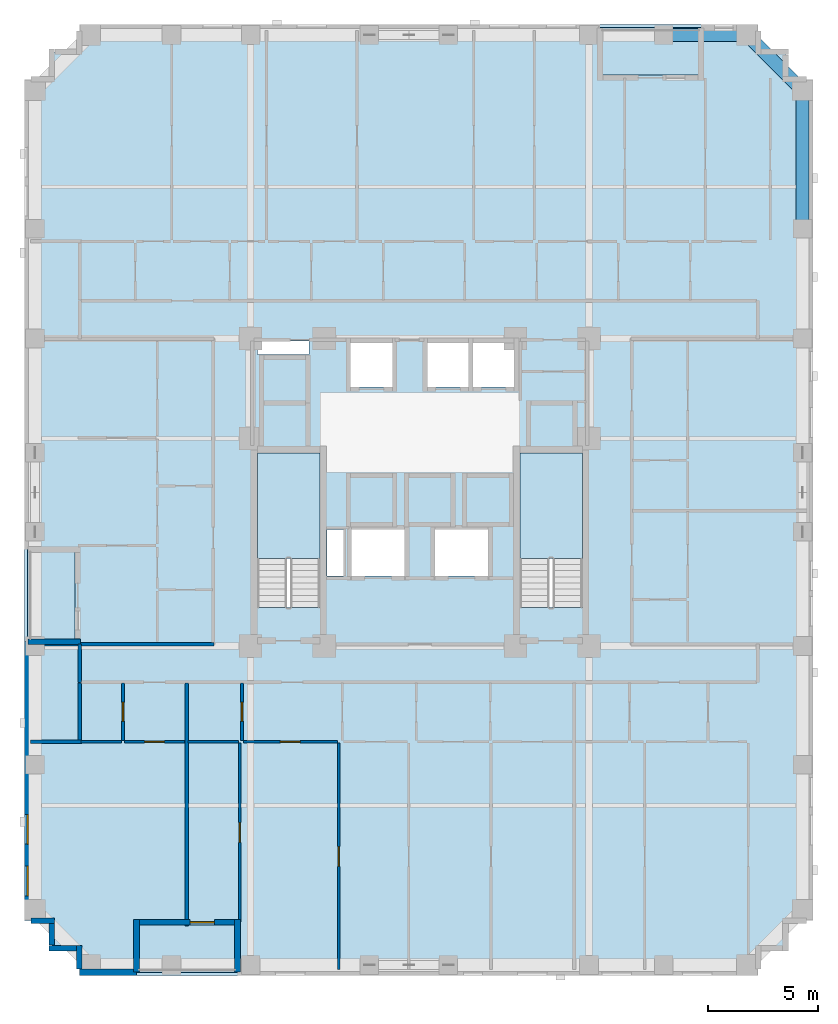
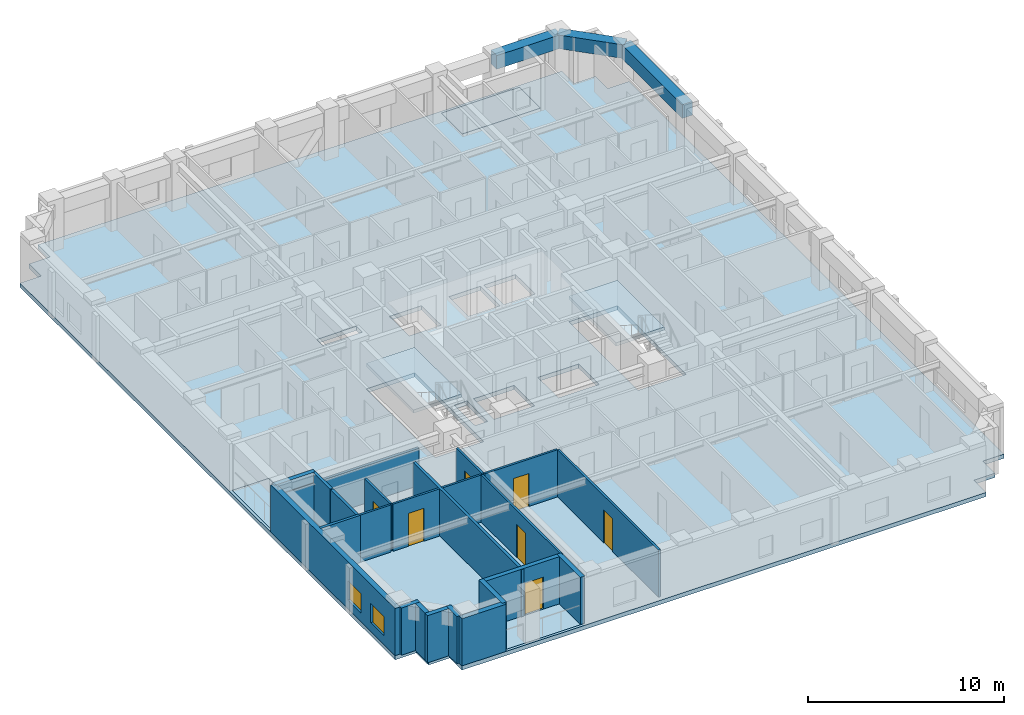
# One storey, part 2 of 12: 23 walls, 7 doors, 6 slabs, 3 beams, 2 windows, 9 openings, 2 elements without a shape of their own.
"""IFC4 building model written with IfcOpenShell, lengths in metres."""

from ifc_helpers import new_model, si_unit, derived_unit, direction, frame, frame_2d, origin, origin_2d, place, context, subcontext, project, spatial, polyline, rectangle, outline, extrude, material, layer, layer_set, material_profile, profile_set, type_object, element, fill, aggregate, save


model = new_model("IFC4")

# Units and contexts
model_context = context("Model", 3, precision=1e-05, world=origin(), true_north=direction((0.0, 1.0)))
body_context = subcontext(model_context, "Body", "Model", "MODEL_VIEW")
ifc_project = project(units=[si_unit("LENGTHUNIT", "METRE"), si_unit("AREAUNIT", "SQUARE_METRE"), si_unit("VOLUMEUNIT", "CUBIC_METRE"), si_unit("PLANEANGLEUNIT", "RADIAN"), si_unit("MASSUNIT", "GRAM", prefix="KILO"), derived_unit("THERMALTRANSMITTANCEUNIT", [(si_unit("MASSUNIT", "GRAM", prefix="KILO"), 1), (si_unit("TIMEUNIT", "SECOND"), -3), (si_unit("THERMODYNAMICTEMPERATUREUNIT", "KELVIN"), -1)])], contexts=[model_context])

# Site, building, storey
site_placement = place(None, origin())
site = spatial("IfcSite", under=ifc_project, at=site_placement, CompositionType="ELEMENT")
building_placement = place(site_placement, origin())
building = spatial("IfcBuilding", under=site, at=building_placement, Name="Korrvale Station Residences", CompositionType="ELEMENT")
storey_placement = place(building_placement, frame((0.0, 0.0, 78.300048828125)))
storey = spatial("IfcBuildingStorey", under=building, at=storey_placement, Name="L21", CompositionType="ELEMENT", Elevation=78.300048828125)

# Beams
ifc_material_1 = material(Name="Concrete C60/75", Category="concrete")
ifc_material_profile = material_profile(ifc_material_1, rectangle(XDim=0.60009765625, YDim=0.85009765625, at=origin_2d()), Name="RCB600x850")
ifc_profile_set = profile_set([ifc_material_profile], Name="Concrete C60/75")
beam_type = type_object("IfcBeamType", Name="BM-SPB-RCB600x850-C6075", PredefinedType="SPANDREL", material=ifc_profile_set)
beam_1_placement = place(storey_placement, frame((36.60009765625, 42.820068359375, 2.514892578125), z_axis=(1.0, 0.0, 0.0), x_axis=(0.0, 1.0, 0.0)))
element("IfcBeam", 1, at=beam_1_placement, inside=storey, type_object=beam_type, Name="L21 North Tube Spandrel 14", PredefinedType="SPANDREL", context=body_context, shape_type="SweptSolid", body=[
    extrude(rectangle(XDim=0.60009765625, YDim=0.85009765625, at=origin_2d()), origin(), (0.0, 0.0, 1.0), 3.7998046875),
])
beam_2_placement = place(storey_placement, frame((42.919921875, 34.0, 2.514892578125), z_axis=(0.0, 1.0, 0.0), x_axis=(-1.0, 0.0, 0.0)))
element("IfcBeam", 2, at=beam_2_placement, inside=storey, type_object=beam_type, Name="L21 East Tube Spandrel 28", PredefinedType="SPANDREL", context=body_context, shape_type="SweptSolid", body=[
    extrude(rectangle(XDim=0.60009765625, YDim=0.85009765625, at=origin_2d()), origin(), (0.0, 0.0, 1.0), 6.300048828125),
])
beam_3_placement = place(storey_placement, frame((40.39990234375, 42.820068359375, 2.514892578125), z_axis=(0.707106781187, -0.707106781187, 0.0), x_axis=(0.707106781187, 0.707106781187, 0.0)))
element("IfcBeam", 3, at=beam_3_placement, inside=storey, type_object=beam_type, Name="L21 Serrated Corner Spandrel 31", PredefinedType="SPANDREL", context=body_context, shape_type="SweptSolid", body=[
    extrude(rectangle(XDim=0.60009765625, YDim=0.85009765625, at=origin_2d()), origin(), (0.0, 0.0, 1.0), 3.56396484375),
])

# Slabs
ifc_material_2 = material(Name="Concrete C50/60", Category="concrete")
ifc_layer_1 = layer(ifc_material_2, 0.219970703125, Name="Concrete C50/60")
ifc_layer_set_1 = layer_set([ifc_layer_1], Name="Concrete C50/60")
slab_type_1 = type_object("IfcSlabType", Name="SLB-BAL-220", PredefinedType="FLOOR", material=ifc_layer_set_1)
slab_1_placement = place(storey_placement, frame((0.0, 0.0, -0.219970703125)))
element("IfcSlab", 4, at=slab_1_placement, inside=storey, type_object=slab_type_1, Name="L21 Recessed Loggia Balcony Slab BAL-L21-S1", PredefinedType="FLOOR", context=body_context, shape_type="SweptSolid", body=[
    extrude(outline(polyline([(12.60009765625, 0.14990234375), (17.199951171875, 0.14990234375), (17.199951171875, 2.300048828125), (12.60009765625, 2.300048828125), (12.60009765625, 0.14990234375)])), origin(), (0.0, 0.0, 1.0), 0.219970703125),
])
slab_2_placement = place(storey_placement, frame((0.0, 0.0, -0.219970703125)))
element("IfcSlab", 5, at=slab_2_placement, inside=storey, type_object=slab_type_1, Name="L21 Recessed Loggia Balcony Slab BAL-L21-N1", PredefinedType="FLOOR", context=body_context, shape_type="SweptSolid", body=[
    extrude(outline(polyline([(33.699951171875, 41.0), (38.300048828125, 41.0), (38.300048828125, 43.14990234375), (33.699951171875, 43.14990234375), (33.699951171875, 41.0)])), origin(), (0.0, 0.0, 1.0), 0.219970703125),
])
slab_3_placement = place(storey_placement, frame((0.0, 0.0, -0.219970703125)))
element("IfcSlab", 6, at=slab_3_placement, inside=storey, type_object=slab_type_1, Name="L21 Recessed Loggia Balcony Slab BAL-L21-W1", PredefinedType="FLOOR", context=body_context, shape_type="SweptSolid", body=[
    extrude(outline(polyline([(7.64990234375, 15.199951171875), (9.800048828125, 15.199951171875), (9.800048828125, 19.39990234375), (7.64990234375, 19.39990234375), (7.64990234375, 15.199951171875)])), origin(), (0.0, 0.0, 1.0), 0.219970703125),
])
ifc_layer_2 = layer(ifc_material_2, 0.260009765625, Name="Concrete C50/60")
ifc_layer_set_2 = layer_set([ifc_layer_2], Name="Concrete C50/60")
slab_type_2 = type_object("IfcSlabType", Name="SLB-FLR-260", PredefinedType="FLOOR", material=ifc_layer_set_2)
slab_4_placement = place(storey_placement, frame((0.0, 0.0, -0.260009765625)))
element("IfcSlab", 7, at=slab_4_placement, inside=storey, type_object=slab_type_2, Name="L21 Suspended Structural Floor Slab", PredefinedType="FLOOR", context=body_context, shape_type="SweptSolid", body=[
    extrude(outline(polyline([(10.0, 0.0), (40.89990234375, 0.0), (40.89990234375, 1.25), (42.14990234375, 1.25), (42.14990234375, 2.5), (43.39990234375, 2.5), (43.39990234375, 40.800048828125), (42.14990234375, 40.800048828125), (42.14990234375, 42.050048828125), (40.89990234375, 42.050048828125), (40.89990234375, 43.300048828125), (10.0, 43.300048828125), (10.0, 42.050048828125), (8.75, 42.050048828125), (8.75, 40.800048828125), (7.5, 40.800048828125), (7.5, 2.5), (8.75, 2.5), (8.75, 1.25), (10.0, 1.25), (10.0, 0.0)]), holes=[polyline([(20.949951171875, 16.751953125), (20.949951171875, 23.800048828125), (18.10009765625, 23.800048828125), (18.10009765625, 16.751953125), (20.949951171875, 16.751953125)]), polyline([(32.89990234375, 16.751953125), (32.89990234375, 23.800048828125), (30.050048828125, 23.800048828125), (30.050048828125, 16.751953125), (32.89990234375, 16.751953125)]), polyline([(22.35009765625, 26.800048828125), (24.25, 26.800048828125), (24.25, 28.800048828125), (22.35009765625, 28.800048828125), (22.35009765625, 26.800048828125)]), polyline([(25.85009765625, 26.800048828125), (27.7099609375, 26.800048828125), (27.7099609375, 28.800048828125), (25.85009765625, 28.800048828125), (25.85009765625, 26.800048828125)]), polyline([(27.929931640625, 26.800048828125), (29.7900390625, 26.800048828125), (29.7900390625, 28.800048828125), (27.929931640625, 28.800048828125), (27.929931640625, 26.800048828125)]), polyline([(22.39990234375, 18.199951171875), (24.800048828125, 18.199951171875), (24.800048828125, 20.300048828125), (22.39990234375, 20.300048828125), (22.39990234375, 18.199951171875)]), polyline([(26.199951171875, 18.199951171875), (28.60009765625, 18.199951171875), (28.60009765625, 20.300048828125), (26.199951171875, 20.300048828125), (26.199951171875, 18.199951171875)]), polyline([(18.10009765625, 28.280029296875), (20.449951171875, 28.280029296875), (20.449951171875, 28.8798828125), (18.10009765625, 28.8798828125), (18.10009765625, 28.280029296875)]), polyline([(21.280029296875, 18.199951171875), (22.02001953125, 18.199951171875), (22.02001953125, 20.300048828125), (21.280029296875, 20.300048828125), (21.280029296875, 18.199951171875)]), polyline([(12.60009765625, 0.14990234375), (17.199951171875, 0.14990234375), (17.199951171875, 2.300048828125), (12.60009765625, 2.300048828125), (12.60009765625, 0.14990234375)]), polyline([(33.699951171875, 41.0), (38.300048828125, 41.0), (38.300048828125, 43.14990234375), (33.699951171875, 43.14990234375), (33.699951171875, 41.0)]), polyline([(7.64990234375, 15.199951171875), (9.800048828125, 15.199951171875), (9.800048828125, 19.39990234375), (7.64990234375, 19.39990234375), (7.64990234375, 15.199951171875)])]), origin(), (0.0, 0.0, 1.0), 0.260009765625),
])

# Stair, slab
stair_type = type_object("IfcStairType", Name="STR-DL-1350-18R-1778", PredefinedType="HALF_TURN_STAIR", material=ifc_material_2)
stair_1_placement = place(storey_placement, origin())
stair_1 = element("IfcStair", 8, at=stair_1_placement, inside=storey, type_object=stair_type, Name="L21 Exit Stair 1", PredefinedType="HALF_TURN_STAIR")
ifc_layer_3 = layer(ifc_material_2, 0.199951171875, Name="Concrete C50/60")
ifc_layer_set_3 = layer_set([ifc_layer_3], Name="Concrete C50/60")
slab_type_3 = type_object("IfcSlabType", Name="SLB-LND-200", PredefinedType="LANDING", material=ifc_layer_set_3)
slab_5_placement = place(storey_placement, frame((0.0, 0.0, 1.39990234375)))
slab_5 = element("IfcSlab", 9, at=slab_5_placement, type_object=slab_type_3, Name="ST-1 landing 1", PredefinedType="LANDING", context=body_context, shape_type="SweptSolid", body=[
    extrude(outline(polyline([(20.949951171875, 18.989990234375), (20.949951171875, 23.800048828125), (18.10009765625, 23.800048828125), (18.10009765625, 18.989990234375), (20.949951171875, 18.989990234375)])), origin(), (0.0, 0.0, 1.0), 0.199951171875),
])
aggregate(stair_1, [slab_5])

stair_2_placement = place(storey_placement, origin())
stair_2 = element("IfcStair", 10, at=stair_2_placement, inside=storey, type_object=stair_type, Name="L21 Exit Stair 2", PredefinedType="HALF_TURN_STAIR")
slab_6_placement = place(storey_placement, frame((0.0, 0.0, 1.39990234375)))
slab_6 = element("IfcSlab", 11, at=slab_6_placement, type_object=slab_type_3, Name="ST-2 landing 1", PredefinedType="LANDING", context=body_context, shape_type="SweptSolid", body=[
    extrude(outline(polyline([(32.89990234375, 18.989990234375), (32.89990234375, 23.800048828125), (30.050048828125, 23.800048828125), (30.050048828125, 18.989990234375), (32.89990234375, 18.989990234375)])), origin(), (0.0, 0.0, 1.0), 0.199951171875),
])
aggregate(stair_2, [slab_6])

# Wall
ifc_material_3 = material(Name="Precast concrete C45/55", Category="concrete")
ifc_layer_4 = layer(ifc_material_3, 0.260009765625, Name="Precast concrete C45/55")
ifc_layer_set_4 = layer_set([ifc_layer_4], Name="Precast concrete C45/55")
wall_type_1 = type_object("IfcWallType", Name="WAL-EXT-LOG260", PredefinedType="SOLIDWALL", material=ifc_layer_set_4)
wall_1_placement = place(storey_placement, frame((17.199951171875, 0.159912109375, 0.0), z_axis=(0.0, 0.0, 1.0), x_axis=(0.0, 1.0, 0.0)))
element("IfcWall", 12, at=wall_1_placement, inside=storey, type_object=wall_type_1, Name="L21 Recessed Loggia Wall BAL-L21-S1-L", PredefinedType="SOLIDWALL", context=body_context, shape_type="SweptSolid", body=[
    extrude(rectangle(XDim=2.400146484375, YDim=0.260009765625, at=frame_2d((1.2001953125, 0.0))), origin(), (0.0, 0.0, 1.0), 2.93994140625),
])

# Wall, opening, door
wall_2_placement = place(storey_placement, frame((17.06591796875, 2.429931640625, 0.0), z_axis=(0.0, 0.0, 1.0), x_axis=(-1.0, 0.0, 0.0)))
wall_2 = element("IfcWall", 13, at=wall_2_placement, inside=storey, type_object=wall_type_1, Name="L21 Recessed Loggia Wall BAL-L21-S1-B", PredefinedType="SOLIDWALL", context=body_context, shape_type="SweptSolid", body=[
    extrude(rectangle(XDim=4.33203125, YDim=0.260009765625, at=frame_2d((2.166015625, 0.0))), origin(), (0.0, 0.0, 1.0), 2.93994140625),
])
opening_1_placement = place(wall_2_placement, frame((0.919921875, 0.0, 0.0)))
opening_1 = element("IfcOpeningElement", 14, at=opening_1_placement, cuts=wall_2, Name="Opening BD-01", PredefinedType="OPENING", context=body_context, shape_type="SweptSolid", body=[
    extrude(rectangle(XDim=1.10009765625, YDim=2.0, at=frame_2d((0.550048828125, 1.0))), frame((0.0, 0.14013671875, 0.0), z_axis=(0.0, -1.0, 0.0), x_axis=(1.0, 0.0, 0.0)), (0.0, 0.0, 1.0), 0.280029296875),
])
ifc_material_4 = material(Name="Exterior thermally broken aluminium glazed balcony door", Category="aluminium")
door_type_1 = type_object("IfcDoorType", Name="DR-EXT-BAL", OperationType="NOTDEFINED", PredefinedType="DOOR", material=ifc_material_4)
door_1_placement = place(opening_1_placement, origin())
door_1 = element("IfcDoor", 15, at=door_1_placement, inside=storey, type_object=door_type_1, Name="L21 Loggia Balcony Door BAL-L21-S1", OperationType="SINGLE_SWING_LEFT", OverallHeight=2.0, OverallWidth=1.10009765625, PredefinedType="DOOR", context=body_context, shape_type="SweptSolid", body=[
    extrude(rectangle(XDim=1.10009765625, YDim=2.0, at=frame_2d((0.550048828125, 1.0))), frame((0.0, 0.02490234375, 0.0), z_axis=(0.0, -1.0, 0.0), x_axis=(1.0, 0.0, 0.0)), (0.0, 0.0, 1.0), 0.050048828125),
])
fill(opening_1, door_1)

# Walls
for number, where, z_axis, x_axis, name in (
    (16, (12.60009765625, 2.56005859375, 0.0), (0.0, 0.0, 1.0), (0.0, -1.0, 0.0), "L21 Recessed Loggia Wall BAL-L21-S1-R"),
    (17, (7.659912109375, 15.199951171875, 0.0), (0.0, 0.0, 1.0), (1.0, 0.0, 0.0), "L21 Recessed Loggia Wall BAL-L21-W1-L"),
):
    element("IfcWall", number, at=place(storey_placement, frame(where, z_axis=z_axis, x_axis=x_axis)), inside=storey, type_object=wall_type_1, Name=name, PredefinedType="SOLIDWALL", context=body_context, shape_type="SweptSolid", body=[
        extrude(rectangle(XDim=2.400146484375, YDim=0.260009765625, at=frame_2d((1.2001953125, 0.0))), origin(), (0.0, 0.0, 1.0), 2.93994140625),
    ])
wall_3_placement = place(storey_placement, frame((10.0, 0.302001953125, 0.0), z_axis=(0.0, 0.0, 1.0), x_axis=(0.0, 1.0, 0.0)))
element("IfcWall", 18, at=wall_3_placement, inside=storey, type_object=wall_type_1, Name="L21 Serrated Corner Precast Step SW-1", PredefinedType="SOLIDWALL", context=body_context, shape_type="SweptSolid", body=[
    extrude(rectangle(XDim=1.077880859375, YDim=0.260009765625, at=frame_2d((0.5390625, 0.0))), origin(), (0.0, 0.0, 1.0), 2.93994140625),
])
wall_4_placement = place(storey_placement, frame((9.867919921875, 1.25, 0.0), z_axis=(0.0, 0.0, 1.0), x_axis=(-1.0, 0.0, 0.0)))
element("IfcWall", 19, at=wall_4_placement, inside=storey, type_object=wall_type_1, Name="L21 Serrated Corner Precast Step SW-2", PredefinedType="SOLIDWALL", context=body_context, shape_type="SweptSolid", body=[
    extrude(rectangle(XDim=1.247802734375, YDim=0.260009765625, at=frame_2d((0.6240234375, 0.0))), origin(), (0.0, 0.0, 1.0), 2.93994140625),
])
wall_5_placement = place(storey_placement, frame((8.75, 1.382080078125, 0.0), z_axis=(0.0, 0.0, 1.0), x_axis=(0.0, 1.0, 0.0)))
element("IfcWall", 20, at=wall_5_placement, inside=storey, type_object=wall_type_1, Name="L21 Serrated Corner Precast Step SW-3", PredefinedType="SOLIDWALL", context=body_context, shape_type="SweptSolid", body=[
    extrude(rectangle(XDim=0.98583984375, YDim=0.260009765625, at=frame_2d((0.492919921875, 0.0))), origin(), (0.0, 0.0, 1.0), 2.93994140625),
])
wall_6_placement = place(storey_placement, frame((8.8798828125, 2.5, 0.0), z_axis=(0.0, 0.0, 1.0), x_axis=(-1.0, 0.0, 0.0)))
element("IfcWall", 21, at=wall_6_placement, inside=storey, type_object=wall_type_1, Name="L21 Serrated Corner Precast Step SW-4", PredefinedType="SOLIDWALL", context=body_context, shape_type="SweptSolid", body=[
    extrude(rectangle(XDim=1.077880859375, YDim=0.260009765625, at=frame_2d((0.5390625, 0.0))), origin(), (0.0, 0.0, 1.0), 2.93994140625),
])
ifc_layer_5 = layer(ifc_material_3, 0.300048828125, Name="Precast concrete C45/55")
ifc_layer_set_5 = layer_set([ifc_layer_5], Name="Precast concrete C45/55")
wall_type_2 = type_object("IfcWallType", Name="WAL-EXT-PC300", PredefinedType="SOLIDWALL", material=ifc_layer_set_5)
wall_7_placement = place(storey_placement, frame((12.60009765625, 0.14990234375, 0.0), z_axis=(0.0, 0.0, 1.0), x_axis=(-1.0, 0.0, 0.0)))
element("IfcWall", 22, at=wall_7_placement, inside=storey, type_object=wall_type_2, Name="L21 South Exterior Precast Wall 2", PredefinedType="SOLIDWALL", context=body_context, shape_type="SweptSolid", body=[
    extrude(rectangle(XDim=2.60009765625, YDim=0.300048828125, at=frame_2d((1.300048828125, 0.0))), origin(), (0.0, 0.0, 1.0), 2.93994140625),
])

# Wall, openings, windows
wall_8_placement = place(storey_placement, frame((7.64990234375, 2.5, 0.0), z_axis=(0.0, 0.0, 1.0), x_axis=(0.0, 1.0, 0.0)))
wall_8 = element("IfcWall", 23, at=wall_8_placement, inside=storey, type_object=wall_type_2, Name="L21 West Exterior Precast Wall 1", PredefinedType="SOLIDWALL", context=body_context, shape_type="SweptSolid", body=[
    extrude(rectangle(XDim=12.699951171875, YDim=0.300048828125, at=frame_2d((6.35009765625, 0.0))), origin(), (0.0, 0.0, 1.0), 2.93994140625),
])
opening_2_placement = place(wall_8_placement, frame((3.48193359375, 0.0, 0.550048828125)))
opening_2 = element("IfcOpeningElement", 24, at=opening_2_placement, cuts=wall_8, Name="Opening W-10", PredefinedType="OPENING", context=body_context, shape_type="SweptSolid", body=[
    extrude(rectangle(XDim=1.35009765625, YDim=1.199951171875, at=frame_2d((0.675048828125, 0.60009765625))), frame((0.0, 0.16015625, 0.0), z_axis=(0.0, -1.0, 0.0), x_axis=(1.0, 0.0, 0.0)), (0.0, 0.0, 1.0), 0.320068359375),
])
opening_3_placement = place(wall_8_placement, frame((1.135009765625, 0.0, 0.550048828125)))
opening_3 = element("IfcOpeningElement", 25, at=opening_3_placement, cuts=wall_8, Name="Opening W-10", PredefinedType="OPENING", context=body_context, shape_type="SweptSolid", body=[
    extrude(rectangle(XDim=1.35009765625, YDim=1.199951171875, at=frame_2d((0.675048828125, 0.60009765625))), frame((0.0, 0.16015625, 0.0), z_axis=(0.0, -1.0, 0.0), x_axis=(1.0, 0.0, 0.0)), (0.0, 0.0, 1.0), 0.320068359375),
])
ifc_material_5 = material(Name="Thermally broken aluminium frame with triple low-e glazing", Category="aluminium")
window_type = type_object("IfcWindowType", Name="WIN-W10", PartitioningType="SINGLE_PANEL", PredefinedType="WINDOW", material=ifc_material_5)
window_1_placement = place(opening_2_placement, origin())
window_1 = element("IfcWindow", 26, at=window_1_placement, inside=storey, type_object=window_type, Name="L21 Punched Window 01", OverallHeight=1.199951171875, OverallWidth=1.35009765625, PartitioningType="SINGLE_PANEL", PredefinedType="WINDOW", context=body_context, shape_type="SweptSolid", body=[
    extrude(rectangle(XDim=1.35009765625, YDim=1.199951171875, at=frame_2d((0.675048828125, 0.60009765625))), frame((0.0, 0.030029296875, 0.0), z_axis=(0.0, -1.0, 0.0), x_axis=(1.0, 0.0, 0.0)), (0.0, 0.0, 1.0), 0.06005859375),
])
fill(opening_2, window_1)
window_2_placement = place(opening_3_placement, origin())
window_2 = element("IfcWindow", 27, at=window_2_placement, inside=storey, type_object=window_type, Name="L21 Punched Window 02", OverallHeight=1.199951171875, OverallWidth=1.35009765625, PartitioningType="SINGLE_PANEL", PredefinedType="WINDOW", context=body_context, shape_type="SweptSolid", body=[
    extrude(rectangle(XDim=1.35009765625, YDim=1.199951171875, at=frame_2d((0.675048828125, 0.60009765625))), frame((0.0, 0.030029296875, 0.0), z_axis=(0.0, -1.0, 0.0), x_axis=(1.0, 0.0, 0.0)), (0.0, 0.0, 1.0), 0.06005859375),
])
fill(opening_3, window_2)

# Wall, opening, door
ifc_material_6 = material(Name="Acoustic steel-stud gypsum board partition", Category="steel")
ifc_layer_6 = layer(ifc_material_6, 0.1201171875, Name="Acoustic steel-stud gypsum board partition")
ifc_layer_set_6 = layer_set([ifc_layer_6], Name="Acoustic steel-stud gypsum board partition")
wall_type_3 = type_object("IfcWallType", Name="WAL-PART-125", PredefinedType="PARTITIONING", material=ifc_layer_set_6)
wall_9_placement = place(storey_placement, frame((11.989990234375, 10.7099609375, 0.0), z_axis=(0.0, 0.0, 1.0), x_axis=(0.0, 1.0, 0.0)))
wall_9 = element("IfcWall", 28, at=wall_9_placement, inside=storey, type_object=wall_type_3, Name="L21 Suite Partition U01-V01", PredefinedType="PARTITIONING", context=body_context, shape_type="SweptSolid", body=[
    extrude(rectangle(XDim=2.60009765625, YDim=0.1201171875, at=frame_2d((1.300048828125, 0.0))), origin(), (0.0, 0.0, 1.0), 2.93994140625),
])
opening_4_placement = place(wall_9_placement, frame((0.8701171875, 0.0, 0.0)))
opening_4 = element("IfcOpeningElement", 29, at=opening_4_placement, cuts=wall_9, Name="Opening DB-860", PredefinedType="OPENING", context=body_context, shape_type="SweptSolid", body=[
    extrude(rectangle(XDim=0.860107421875, YDim=2.050048828125, at=frame_2d((0.43017578125, 1.02490234375))), frame((0.0, 0.070068359375, 0.0), z_axis=(0.0, -1.0, 0.0), x_axis=(1.0, 0.0, 0.0)), (0.0, 0.0, 1.0), 0.14013671875),
])
ifc_material_7 = material(Name="Moisture-resistant solid-core bathroom door", Category="timber")
door_type_2 = type_object("IfcDoorType", Name="DR-BATH-860", OperationType="NOTDEFINED", PredefinedType="DOOR", material=ifc_material_7)
door_2_placement = place(opening_4_placement, origin())
door_2 = element("IfcDoor", 30, at=door_2_placement, inside=storey, type_object=door_type_2, Name="L21 Studio Apartment L21-U01 Bathroom Door", OperationType="SINGLE_SWING_LEFT", OverallHeight=2.050048828125, OverallWidth=0.860107421875, PredefinedType="DOOR", context=body_context, shape_type="SweptSolid", body=[
    extrude(rectangle(XDim=0.860107421875, YDim=2.050048828125, at=frame_2d((0.43017578125, 1.02490234375))), frame((0.0, 0.02490234375, 0.0), z_axis=(0.0, -1.0, 0.0), x_axis=(1.0, 0.0, 0.0)), (0.0, 0.0, 1.0), 0.050048828125),
])
fill(opening_4, door_2)

# Wall
wall_10_placement = place(storey_placement, frame((10.080078125, 10.64990234375, 0.0), z_axis=(0.0, 0.0, 1.0), x_axis=(1.0, 0.0, 0.0)))
element("IfcWall", 31, at=wall_10_placement, inside=storey, type_object=wall_type_3, Name="L21 Suite Partition U01-H02", PredefinedType="PARTITIONING", context=body_context, shape_type="SweptSolid", body=[
    extrude(rectangle(XDim=1.849853515625, YDim=0.1201171875, at=frame_2d((0.9248046875, 0.0))), origin(), (0.0, 0.0, 1.0), 2.93994140625),
])

# Wall, opening, door
wall_11_placement = place(storey_placement, frame((12.050048828125, 10.64990234375, 0.0), z_axis=(0.0, 0.0, 1.0), x_axis=(1.0, 0.0, 0.0)))
wall_11 = element("IfcWall", 32, at=wall_11_placement, inside=storey, type_object=wall_type_3, Name="L21 Suite Partition U01-H12", PredefinedType="PARTITIONING", context=body_context, shape_type="SweptSolid", body=[
    extrude(rectangle(XDim=2.73583984375, YDim=0.1201171875, at=frame_2d((1.367919921875, 0.0))), origin(), (0.0, 0.0, 1.0), 2.93994140625),
])
opening_5_placement = place(wall_11_placement, frame((0.91796875, 0.0, 0.0)))
opening_5 = element("IfcOpeningElement", 33, at=opening_5_placement, cuts=wall_11, Name="Opening DI-900", PredefinedType="OPENING", context=body_context, shape_type="SweptSolid", body=[
    extrude(rectangle(XDim=0.89990234375, YDim=2.050048828125, at=frame_2d((0.449951171875, 1.02490234375))), frame((0.0, 0.070068359375, 0.0), z_axis=(0.0, -1.0, 0.0), x_axis=(1.0, 0.0, 0.0)), (0.0, 0.0, 1.0), 0.14013671875),
])
ifc_material_8 = material(Name="Painted solid-core timber interior room door", Category="wood")
door_type_3 = type_object("IfcDoorType", Name="DR-INT-900", OperationType="NOTDEFINED", PredefinedType="DOOR", material=ifc_material_8)
door_3_placement = place(opening_5_placement, origin())
door_3 = element("IfcDoor", 34, at=door_3_placement, inside=storey, type_object=door_type_3, Name="L21 Studio Apartment L21-U01 Kitchen Door", OperationType="SINGLE_SWING_RIGHT", OverallHeight=2.050048828125, OverallWidth=0.89990234375, PredefinedType="DOOR", context=body_context, shape_type="SweptSolid", body=[
    extrude(rectangle(XDim=0.89990234375, YDim=2.050048828125, at=frame_2d((0.449951171875, 1.02490234375))), frame((0.0, 0.02490234375, 0.0), z_axis=(0.0, -1.0, 0.0), x_axis=(1.0, 0.0, 0.0)), (0.0, 0.0, 1.0), 0.050048828125),
])
fill(opening_5, door_3)

wall_12_placement = place(storey_placement, frame((17.406005859375, 10.7099609375, 0.0), z_axis=(0.0, 0.0, 1.0), x_axis=(0.0, 1.0, 0.0)))
wall_12 = element("IfcWall", 35, at=wall_12_placement, inside=storey, type_object=wall_type_3, Name="L21 Suite Partition U02-V01", PredefinedType="PARTITIONING", context=body_context, shape_type="SweptSolid", body=[
    extrude(rectangle(XDim=2.60009765625, YDim=0.1201171875, at=frame_2d((1.300048828125, 0.0))), origin(), (0.0, 0.0, 1.0), 2.93994140625),
])
opening_6_placement = place(wall_12_placement, frame((0.8701171875, 0.0, 0.0)))
opening_6 = element("IfcOpeningElement", 36, at=opening_6_placement, cuts=wall_12, Name="Opening DB-860", PredefinedType="OPENING", context=body_context, shape_type="SweptSolid", body=[
    extrude(rectangle(XDim=0.860107421875, YDim=2.050048828125, at=frame_2d((0.43017578125, 1.02490234375))), frame((0.0, 0.070068359375, 0.0), z_axis=(0.0, -1.0, 0.0), x_axis=(1.0, 0.0, 0.0)), (0.0, 0.0, 1.0), 0.14013671875),
])
door_4_placement = place(opening_6_placement, origin())
door_4 = element("IfcDoor", 37, at=door_4_placement, inside=storey, type_object=door_type_2, Name="L21 Apartment 2BR L21-U02 Bathroom Door", OperationType="SINGLE_SWING_LEFT", OverallHeight=2.050048828125, OverallWidth=0.860107421875, PredefinedType="DOOR", context=body_context, shape_type="SweptSolid", body=[
    extrude(rectangle(XDim=0.860107421875, YDim=2.050048828125, at=frame_2d((0.43017578125, 1.02490234375))), frame((0.0, 0.02490234375, 0.0), z_axis=(0.0, -1.0, 0.0), x_axis=(1.0, 0.0, 0.0)), (0.0, 0.0, 1.0), 0.050048828125),
])
fill(opening_6, door_4)

# Wall
wall_13_placement = place(storey_placement, frame((14.946044921875, 10.64990234375, 0.0), z_axis=(0.0, 0.0, 1.0), x_axis=(1.0, 0.0, 0.0)))
element("IfcWall", 38, at=wall_13_placement, inside=storey, type_object=wall_type_3, Name="L21 Suite Partition U02-H05", PredefinedType="PARTITIONING", context=body_context, shape_type="SweptSolid", body=[
    extrude(rectangle(XDim=2.300048828125, YDim=0.1201171875, at=frame_2d((1.14990234375, 0.0))), origin(), (0.0, 0.0, 1.0), 2.93994140625),
])

# Wall, opening, door
wall_14_placement = place(storey_placement, frame((17.466064453125, 10.64990234375, 0.0), z_axis=(0.0, 0.0, 1.0), x_axis=(1.0, 0.0, 0.0)))
wall_14 = element("IfcWall", 39, at=wall_14_placement, inside=storey, type_object=wall_type_3, Name="L21 Suite Partition U02-H16", PredefinedType="PARTITIONING", context=body_context, shape_type="SweptSolid", body=[
    extrude(rectangle(XDim=4.280029296875, YDim=0.1201171875, at=frame_2d((2.14013671875, 0.0))), origin(), (0.0, 0.0, 1.0), 2.93994140625),
])
opening_7_placement = place(wall_14_placement, frame((1.68994140625, 0.0, 0.0)))
opening_7 = element("IfcOpeningElement", 40, at=opening_7_placement, cuts=wall_14, Name="Opening DI-900", PredefinedType="OPENING", context=body_context, shape_type="SweptSolid", body=[
    extrude(rectangle(XDim=0.89990234375, YDim=2.050048828125, at=frame_2d((0.449951171875, 1.02490234375))), frame((0.0, 0.070068359375, 0.0), z_axis=(0.0, -1.0, 0.0), x_axis=(1.0, 0.0, 0.0)), (0.0, 0.0, 1.0), 0.14013671875),
])
door_5_placement = place(opening_7_placement, origin())
door_5 = element("IfcDoor", 41, at=door_5_placement, inside=storey, type_object=door_type_3, Name="L21 Apartment 2BR L21-U02 Kitchen Door", OperationType="SINGLE_SWING_LEFT", OverallHeight=2.050048828125, OverallWidth=0.89990234375, PredefinedType="DOOR", context=body_context, shape_type="SweptSolid", body=[
    extrude(rectangle(XDim=0.89990234375, YDim=2.050048828125, at=frame_2d((0.449951171875, 1.02490234375))), frame((0.0, 0.02490234375, 0.0), z_axis=(0.0, -1.0, 0.0), x_axis=(1.0, 0.0, 0.0)), (0.0, 0.0, 1.0), 0.050048828125),
])
fill(opening_7, door_5)

wall_15_placement = place(storey_placement, frame((17.305908203125, 2.429931640625, 0.0), z_axis=(0.0, 0.0, 1.0), x_axis=(0.0, 1.0, 0.0)))
wall_15 = element("IfcWall", 42, at=wall_15_placement, inside=storey, type_object=wall_type_3, Name="L21 Suite Partition U02-V56", PredefinedType="PARTITIONING", context=body_context, shape_type="SweptSolid", body=[
    extrude(rectangle(XDim=8.16015625, YDim=0.1201171875, at=frame_2d((4.080078125, 0.0))), origin(), (0.0, 0.0, 1.0), 2.93994140625),
])
opening_8_placement = place(wall_15_placement, frame((3.6298828125, 0.0, 0.0)))
opening_8 = element("IfcOpeningElement", 43, at=opening_8_placement, cuts=wall_15, Name="Opening DI-900", PredefinedType="OPENING", context=body_context, shape_type="SweptSolid", body=[
    extrude(rectangle(XDim=0.89990234375, YDim=2.050048828125, at=frame_2d((0.449951171875, 1.02490234375))), frame((0.0, 0.070068359375, 0.0), z_axis=(0.0, -1.0, 0.0), x_axis=(1.0, 0.0, 0.0)), (0.0, 0.0, 1.0), 0.14013671875),
])
door_6_placement = place(opening_8_placement, origin())
door_6 = element("IfcDoor", 44, at=door_6_placement, inside=storey, type_object=door_type_3, Name="L21 Apartment 2BR L21-U02 Wardrobe Storage Room Door", OperationType="SINGLE_SWING_LEFT", OverallHeight=2.050048828125, OverallWidth=0.89990234375, PredefinedType="DOOR", context=body_context, shape_type="SweptSolid", body=[
    extrude(rectangle(XDim=0.89990234375, YDim=2.050048828125, at=frame_2d((0.449951171875, 1.02490234375))), frame((0.0, 0.02490234375, 0.0), z_axis=(0.0, -1.0, 0.0), x_axis=(1.0, 0.0, 0.0)), (0.0, 0.0, 1.0), 0.050048828125),
])
fill(opening_8, door_6)

wall_16_placement = place(storey_placement, frame((21.805908203125, 0.280029296875, 0.0), z_axis=(0.0, 0.0, 1.0), x_axis=(0.0, 1.0, 0.0)))
wall_16 = element("IfcWall", 45, at=wall_16_placement, inside=storey, type_object=wall_type_3, Name="L21 Suite Partition U02-V67", PredefinedType="PARTITIONING", context=body_context, shape_type="SweptSolid", body=[
    extrude(rectangle(XDim=10.31005859375, YDim=0.1201171875, at=frame_2d((5.155029296875, 0.0))), origin(), (0.0, 0.0, 1.0), 2.93994140625),
])
opening_9_placement = place(wall_16_placement, frame((4.68994140625, 0.0, 0.0)))
opening_9 = element("IfcOpeningElement", 46, at=opening_9_placement, cuts=wall_16, Name="Opening DI-900", PredefinedType="OPENING", context=body_context, shape_type="SweptSolid", body=[
    extrude(rectangle(XDim=0.89990234375, YDim=2.050048828125, at=frame_2d((0.449951171875, 1.02490234375))), frame((0.0, 0.070068359375, 0.0), z_axis=(0.0, -1.0, 0.0), x_axis=(1.0, 0.0, 0.0)), (0.0, 0.0, 1.0), 0.14013671875),
])
door_7_placement = place(opening_9_placement, origin())
door_7 = element("IfcDoor", 47, at=door_7_placement, inside=storey, type_object=door_type_3, Name="L21 Apartment 2BR L21-U02 Living and Dining Room Door", OperationType="SINGLE_SWING_RIGHT", OverallHeight=2.050048828125, OverallWidth=0.89990234375, PredefinedType="DOOR", context=body_context, shape_type="SweptSolid", body=[
    extrude(rectangle(XDim=0.89990234375, YDim=2.050048828125, at=frame_2d((0.449951171875, 1.02490234375))), frame((0.0, 0.02490234375, 0.0), z_axis=(0.0, -1.0, 0.0), x_axis=(1.0, 0.0, 0.0)), (0.0, 0.0, 1.0), 0.050048828125),
])
fill(opening_9, door_7)

# Walls
ifc_material_9 = material(Name="Fire-rated twin-stud gypsum and mineral wool shaftwall assembly", Category="gypsum")
ifc_layer_7 = layer(ifc_material_9, 0.159912109375, Name="Fire-rated twin-stud gypsum and mineral wool shaftwall assembly")
ifc_layer_set_7 = layer_set([ifc_layer_7], Name="Fire-rated twin-stud gypsum and mineral wool shaftwall assembly")
wall_type_4 = type_object("IfcWallType", Name="WAL-PART-200", PredefinedType="PARTITIONING", material=ifc_layer_set_7)
wall_17_placement = place(storey_placement, frame((10.02001953125, 13.35009765625, 0.0), z_axis=(0.0, 0.0, 1.0), x_axis=(0.0, 1.0, 0.0)))
element("IfcWall", 48, at=wall_17_placement, inside=storey, type_object=wall_type_4, Name="L21 Corridor South West Cap", PredefinedType="PARTITIONING", context=body_context, shape_type="SweptSolid", body=[
    extrude(rectangle(XDim=1.739990234375, YDim=0.159912109375, at=frame_2d((0.8701171875, 0.0))), origin(), (0.0, 0.0, 1.0), 2.93994140625),
])
wall_18_placement = place(storey_placement, frame((7.780029296875, 15.090087890625, 0.0), z_axis=(0.0, 0.0, 1.0), x_axis=(1.0, 0.0, 0.0)))
element("IfcWall", 49, at=wall_18_placement, inside=storey, type_object=wall_type_4, Name="L21 West Wing South Corridor Wall", PredefinedType="PARTITIONING", context=body_context, shape_type="SweptSolid", body=[
    extrude(rectangle(XDim=8.35986328125, YDim=0.159912109375, at=frame_2d((4.179931640625, 0.0))), origin(), (0.0, 0.0, 1.0), 2.308837890625),
])
wall_19_placement = place(storey_placement, frame((7.780029296875, 10.64990234375, 0.0), z_axis=(0.0, 0.0, 1.0), x_axis=(1.0, 0.0, 0.0)))
element("IfcWall", 50, at=wall_19_placement, inside=storey, type_object=wall_type_4, Name="L21 Corner Step Wall U01-L", PredefinedType="PARTITIONING", context=body_context, shape_type="SweptSolid", body=[
    extrude(rectangle(XDim=2.340087890625, YDim=0.159912109375, at=frame_2d((1.169921875, 0.0))), origin(), (0.0, 0.0, 1.0), 2.93994140625),
])
wall_20_placement = place(storey_placement, frame((10.02001953125, 10.64990234375, 0.0), z_axis=(0.0, 0.0, 1.0), x_axis=(0.0, 1.0, 0.0)))
element("IfcWall", 51, at=wall_20_placement, inside=storey, type_object=wall_type_4, Name="L21 Corner Step Cheek U01-L", PredefinedType="PARTITIONING", context=body_context, shape_type="SweptSolid", body=[
    extrude(rectangle(XDim=2.66015625, YDim=0.159912109375, at=frame_2d((1.330078125, 0.0))), origin(), (0.0, 0.0, 1.0), 2.93994140625),
])
wall_21_placement = place(storey_placement, frame((14.885986328125, 2.260009765625, 0.0), z_axis=(0.0, 0.0, 1.0), x_axis=(0.0, 1.0, 0.0)))
element("IfcWall", 52, at=wall_21_placement, inside=storey, type_object=wall_type_4, Name="L21 Demising Wall U02-W", PredefinedType="PARTITIONING", context=body_context, shape_type="SweptSolid", body=[
    extrude(rectangle(XDim=11.050048828125, YDim=0.159912109375, at=frame_2d((5.52490234375, 0.0))), origin(), (0.0, 0.0, 1.0), 2.93994140625),
])

save(model, "model.ifc")
